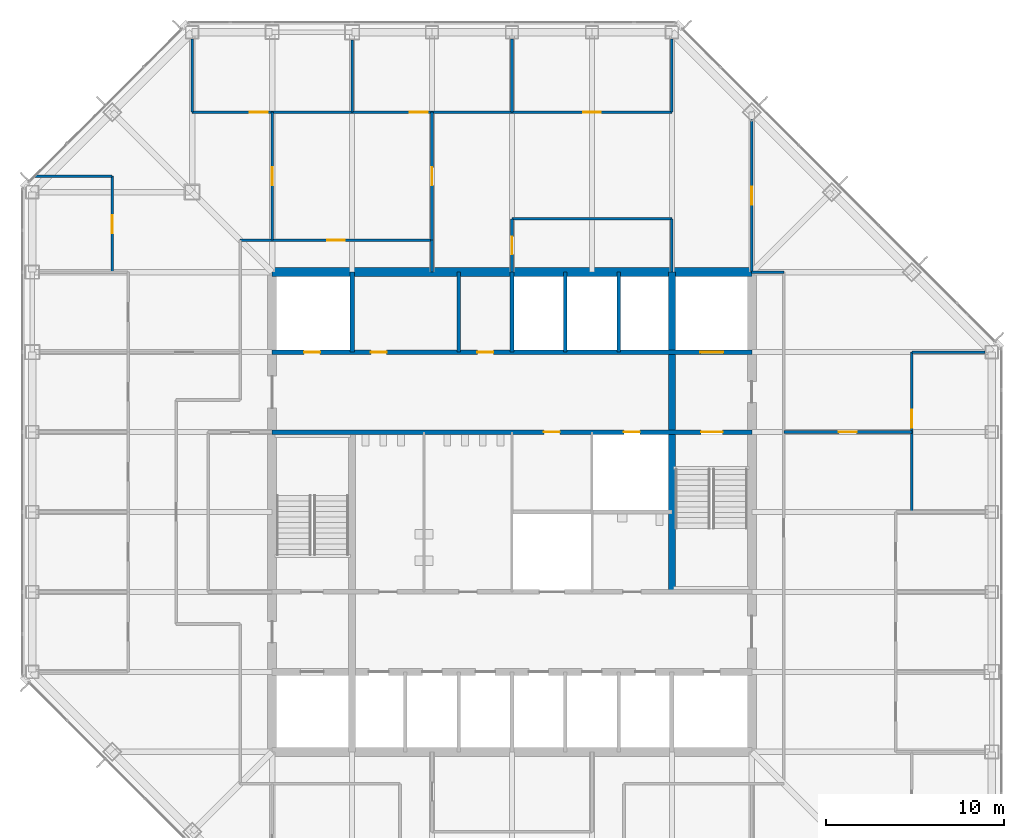
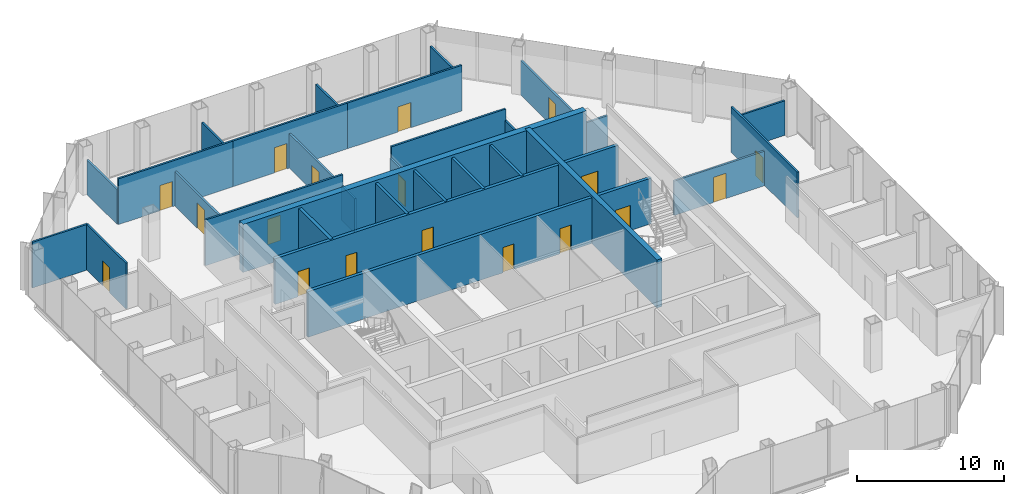
# One storey, part 10 of 13: 30 walls, 18 doors, 18 openings.
"""IFC4 building model written with IfcOpenShell, lengths in metres."""

from ifc_helpers import new_model, si_unit, direction, frame, frame_2d, origin, place, context, subcontext, project, spatial, rectangle, extrude, material, layer, layer_set, type_object, element, fill, save


model = new_model("IFC4")

# Units and contexts
model_context = context("Model", 3, precision=1e-05, world=origin(), true_north=direction((0.0, 1.0)))
body_context = subcontext(model_context, "Body", "Model", "MODEL_VIEW")
ifc_project = project(units=[si_unit("LENGTHUNIT", "METRE"), si_unit("AREAUNIT", "SQUARE_METRE"), si_unit("VOLUMEUNIT", "CUBIC_METRE"), si_unit("PLANEANGLEUNIT", "RADIAN"), si_unit("MASSUNIT", "GRAM", prefix="KILO")], contexts=[model_context])

# Site, building, storey
site_placement = place(None, origin())
site = spatial("IfcSite", under=ifc_project, at=site_placement, CompositionType="ELEMENT")
building_placement = place(site_placement, origin())
building = spatial("IfcBuilding", under=site, at=building_placement, Name="Corais Broadcast Tower", CompositionType="ELEMENT")
storey_placement = place(building_placement, frame((0.0, 0.0, 195.60009765625)))
storey = spatial("IfcBuildingStorey", under=building, at=storey_placement, Name="L45", CompositionType="ELEMENT", Elevation=195.60009765625)

# Wall
ifc_material_1 = material(Name="Concrete blockwork class A, grouted, two-hour", Category="masonry")
ifc_layer_1 = layer(ifc_material_1, 0.25)
ifc_layer_set_1 = layer_set([ifc_layer_1], Name="Concrete blockwork class A, grouted, two-hour")
wall_type_1 = type_object("IfcWallType", Name="Core lobby wall 250", PredefinedType="SOLIDWALL", material=ifc_layer_set_1)
wall_1_placement = place(storey_placement, frame((18.0, 36.0, 0.0), z_axis=(0.0, 0.0, 1.0), x_axis=(0.0, 1.0, 0.0)))
element("IfcWall", 1, at=wall_1_placement, inside=storey, type_object=wall_type_1, Name="CL2 core shaft wall X18B L45", PredefinedType="SOLIDWALL", context=body_context, shape_type="SweptSolid", body=[
    extrude(rectangle(XDim=4.5, YDim=0.25, at=frame_2d((2.25, 0.0))), origin(), (0.0, 0.0, 1.0), 3.7998046875),
])

# Wall, openings, doors
wall_2_placement = place(storey_placement, frame((13.5, 31.5, 0.0), z_axis=(0.0, 0.0, 1.0), x_axis=(1.0, 0.0, 0.0)))
wall_2 = element("IfcWall", 2, at=wall_2_placement, inside=storey, type_object=wall_type_1, Name="CL2 core lobby wall Y315 L45", PredefinedType="SOLIDWALL", context=body_context, shape_type="SweptSolid", body=[
    extrude(rectangle(XDim=27.0, YDim=0.25, at=frame_2d((13.5, 0.0))), origin(), (0.0, 0.0, 1.0), 3.7998046875),
])
opening_1_placement = place(wall_2_placement, frame((24.14990234375, 0.0, 0.0)))
opening_1 = element("IfcOpeningElement", 3, at=opening_1_placement, cuts=wall_2, Name="Opening FD1", PredefinedType="OPENING", context=body_context, shape_type="SweptSolid", body=[
    extrude(rectangle(XDim=1.199951171875, YDim=2.10009765625, at=frame_2d((0.60009765625, 1.050048828125))), frame((0.0, 0.135009765625, 0.0), z_axis=(0.0, -1.0, 0.0), x_axis=(1.0, 0.0, 0.0)), (0.0, 0.0, 1.0), 0.27001953125),
])
opening_2_placement = place(wall_2_placement, frame((15.300048828125, 0.0, 0.0)))
opening_2 = element("IfcOpeningElement", 4, at=opening_2_placement, cuts=wall_2, Name="Opening RD1", PredefinedType="OPENING", context=body_context, shape_type="SweptSolid", body=[
    extrude(rectangle(XDim=0.89990234375, YDim=2.10009765625, at=frame_2d((0.449951171875, 1.050048828125))), frame((0.0, 0.135009765625, 0.0), z_axis=(0.0, -1.0, 0.0), x_axis=(1.0, 0.0, 0.0)), (0.0, 0.0, 1.0), 0.27001953125),
])
opening_3_placement = place(wall_2_placement, frame((19.800048828125, 0.0, 0.0)))
opening_3 = element("IfcOpeningElement", 5, at=opening_3_placement, cuts=wall_2, Name="Opening RD1", PredefinedType="OPENING", context=body_context, shape_type="SweptSolid", body=[
    extrude(rectangle(XDim=0.89990234375, YDim=2.10009765625, at=frame_2d((0.449951171875, 1.050048828125))), frame((0.0, 0.135009765625, 0.0), z_axis=(0.0, -1.0, 0.0), x_axis=(1.0, 0.0, 0.0)), (0.0, 0.0, 1.0), 0.27001953125),
])
ifc_material_2 = material(Name="Steel fire door", Category="steel")
door_type_1 = type_object("IfcDoorType", Name="Fire door 1200x2100", OperationType="SINGLE_SWING_LEFT", PredefinedType="DOOR", material=ifc_material_2)
door_1_placement = place(opening_1_placement, origin())
door_1 = element("IfcDoor", 6, at=door_1_placement, inside=storey, type_object=door_type_1, Name="FD1 stair B door L45", OperationType="SINGLE_SWING_RIGHT", OverallHeight=2.10009765625, OverallWidth=1.199951171875, PredefinedType="DOOR", context=body_context, shape_type="SweptSolid", body=[
    extrude(rectangle(XDim=1.199951171875, YDim=2.10009765625, at=frame_2d((0.60009765625, 1.050048828125))), frame((0.0, 0.02490234375, 0.0), z_axis=(0.0, -1.0, 0.0), x_axis=(1.0, 0.0, 0.0)), (0.0, 0.0, 1.0), 0.050048828125),
])
fill(opening_1, door_1)
ifc_material_3 = material(Name="Steel fire door", Category="steel")
door_type_2 = type_object("IfcDoorType", Name="Riser door 900x2100", OperationType="SINGLE_SWING_LEFT", PredefinedType="DOOR", material=ifc_material_3)
door_2_placement = place(opening_2_placement, origin())
door_2 = element("IfcDoor", 7, at=door_2_placement, inside=storey, type_object=door_type_2, Name="RD1 cleaner's store door L45", OperationType="SINGLE_SWING_RIGHT", OverallHeight=2.10009765625, OverallWidth=0.89990234375, PredefinedType="DOOR", context=body_context, shape_type="SweptSolid", body=[
    extrude(rectangle(XDim=0.89990234375, YDim=2.10009765625, at=frame_2d((0.449951171875, 1.050048828125))), frame((0.0, 0.02490234375, 0.0), z_axis=(0.0, -1.0, 0.0), x_axis=(1.0, 0.0, 0.0)), (0.0, 0.0, 1.0), 0.050048828125),
])
fill(opening_2, door_2)
door_3_placement = place(opening_3_placement, origin())
door_3 = element("IfcDoor", 8, at=door_3_placement, inside=storey, type_object=door_type_2, Name="RD1 riser door L45", OperationType="SINGLE_SWING_RIGHT", OverallHeight=2.10009765625, OverallWidth=0.89990234375, PredefinedType="DOOR", context=body_context, shape_type="SweptSolid", body=[
    extrude(rectangle(XDim=0.89990234375, YDim=2.10009765625, at=frame_2d((0.449951171875, 1.050048828125))), frame((0.0, 0.02490234375, 0.0), z_axis=(0.0, -1.0, 0.0), x_axis=(1.0, 0.0, 0.0)), (0.0, 0.0, 1.0), 0.050048828125),
])
fill(opening_3, door_3)

# Walls
ifc_material_4 = material(Name="Concrete C50/60", Category="concrete")
ifc_layer_2 = layer(ifc_material_4, 0.39990234375)
ifc_layer_set_2 = layer_set([ifc_layer_2], Name="Concrete C50/60")
wall_type_2 = type_object("IfcWallType", Name="Core wall 400", PredefinedType="SHEAR", material=ifc_layer_set_2)
wall_3_placement = place(storey_placement, frame((36.0, 22.5, 0.0), z_axis=(0.0, 0.0, 1.0), x_axis=(0.0, 1.0, 0.0)))
element("IfcWall", 9, at=wall_3_placement, inside=storey, type_object=wall_type_2, Name="CR400 core wall X36B L45", PredefinedType="SHEAR", context=body_context, shape_type="SweptSolid", body=[
    extrude(rectangle(XDim=18.0, YDim=0.39990234375, at=frame_2d((9.0, 0.0))), origin(), (0.0, 0.0, 1.0), 4.0),
])
ifc_material_5 = material(Name="Concrete C50/60", Category="concrete")
ifc_layer_3 = layer(ifc_material_5, 0.5)
ifc_layer_set_3 = layer_set([ifc_layer_3], Name="Concrete C50/60")
wall_type_3 = type_object("IfcWallType", Name="Core wall 500", PredefinedType="SHEAR", material=ifc_layer_set_3)
wall_4_placement = place(storey_placement, frame((40.5, 40.5, 0.0), z_axis=(0.0, 0.0, 1.0), x_axis=(-1.0, 0.0, 0.0)))
element("IfcWall", 10, at=wall_4_placement, inside=storey, type_object=wall_type_3, Name="CR500 core wall N L45", PredefinedType="SHEAR", context=body_context, shape_type="SweptSolid", body=[
    extrude(rectangle(XDim=27.0, YDim=0.5, at=frame_2d((13.5, 0.0))), origin(), (0.0, 0.0, 1.0), 4.0),
])

# Wall, openings, doors
ifc_material_6 = material(Name="Concrete blockwork class A, grouted, four-hour", Category="masonry")
ifc_layer_4 = layer(ifc_material_6, 0.25)
ifc_layer_set_4 = layer_set([ifc_layer_4], Name="Concrete blockwork class A, grouted, four-hour")
wall_type_4 = type_object("IfcWallType", Name="Emergency lift shaft wall 250", PredefinedType="SOLIDWALL", material=ifc_layer_set_4)
wall_5_placement = place(storey_placement, frame((13.5, 36.0, 0.0), z_axis=(0.0, 0.0, 1.0), x_axis=(1.0, 0.0, 0.0)))
wall_5 = element("IfcWall", 11, at=wall_5_placement, inside=storey, type_object=wall_type_4, Name="LS2 core lobby wall Y36 L45", PredefinedType="SOLIDWALL", context=body_context, shape_type="SweptSolid", body=[
    extrude(rectangle(XDim=27.0, YDim=0.25, at=frame_2d((13.5, 0.0))), origin(), (0.0, 0.0, 1.0), 3.7998046875),
])
opening_4_placement = place(wall_5_placement, frame((1.800048828125, 0.0, 0.0)))
opening_4 = element("IfcOpeningElement", 12, at=opening_4_placement, cuts=wall_5, Name="Opening RD1", PredefinedType="OPENING", context=body_context, shape_type="SweptSolid", body=[
    extrude(rectangle(XDim=0.89990234375, YDim=2.10009765625, at=frame_2d((0.449951171875, 1.050048828125))), frame((0.0, 0.135009765625, 0.0), z_axis=(0.0, -1.0, 0.0), x_axis=(1.0, 0.0, 0.0)), (0.0, 0.0, 1.0), 0.27001953125),
])
opening_5_placement = place(wall_5_placement, frame((5.550048828125, 0.0, 0.0)))
opening_5 = element("IfcOpeningElement", 13, at=opening_5_placement, cuts=wall_5, Name="Opening RD1", PredefinedType="OPENING", context=body_context, shape_type="SweptSolid", body=[
    extrude(rectangle(XDim=0.89990234375, YDim=2.10009765625, at=frame_2d((0.449951171875, 1.050048828125))), frame((0.0, 0.135009765625, 0.0), z_axis=(0.0, -1.0, 0.0), x_axis=(1.0, 0.0, 0.0)), (0.0, 0.0, 1.0), 0.27001953125),
])
opening_6_placement = place(wall_5_placement, frame((11.550048828125, 0.0, 0.0)))
opening_6 = element("IfcOpeningElement", 14, at=opening_6_placement, cuts=wall_5, Name="Opening RD1", PredefinedType="OPENING", context=body_context, shape_type="SweptSolid", body=[
    extrude(rectangle(XDim=0.89990234375, YDim=2.10009765625, at=frame_2d((0.449951171875, 1.050048828125))), frame((0.0, 0.135009765625, 0.0), z_axis=(0.0, -1.0, 0.0), x_axis=(1.0, 0.0, 0.0)), (0.0, 0.0, 1.0), 0.27001953125),
])
opening_7_placement = place(wall_5_placement, frame((24.10009765625, 0.0, 0.0)))
opening_7 = element("IfcOpeningElement", 15, at=opening_7_placement, cuts=wall_5, Name="Opening LD2", PredefinedType="OPENING", context=body_context, shape_type="SweptSolid", body=[
    extrude(rectangle(XDim=1.300048828125, YDim=2.199951171875, at=frame_2d((0.64990234375, 1.10009765625))), frame((0.0, 0.135009765625, 0.0), z_axis=(0.0, -1.0, 0.0), x_axis=(1.0, 0.0, 0.0)), (0.0, 0.0, 1.0), 0.27001953125),
])
ifc_material_7 = material(Name="Stainless steel lift door", Category="steel")
door_type_3 = type_object("IfcDoorType", Name="Lift landing door 1300x2200", OperationType="SLIDING_TO_LEFT", PredefinedType="DOOR", material=ifc_material_7)
door_4_placement = place(opening_7_placement, origin())
door_4 = element("IfcDoor", 16, at=door_4_placement, inside=storey, type_object=door_type_3, Name="LD2 FL2 landing door L45", OperationType="SLIDING_TO_LEFT", OverallHeight=2.199951171875, OverallWidth=1.300048828125, PredefinedType="DOOR", context=body_context, shape_type="SweptSolid", body=[
    extrude(rectangle(XDim=1.300048828125, YDim=2.199951171875, at=frame_2d((0.64990234375, 1.10009765625))), frame((0.0, 0.02490234375, 0.0), z_axis=(0.0, -1.0, 0.0), x_axis=(1.0, 0.0, 0.0)), (0.0, 0.0, 1.0), 0.050048828125),
])
fill(opening_7, door_4)
door_5_placement = place(opening_4_placement, origin())
door_5 = element("IfcDoor", 17, at=door_5_placement, inside=storey, type_object=door_type_2, Name="RD1 riser door L45", OperationType="SINGLE_SWING_LEFT", OverallHeight=2.10009765625, OverallWidth=0.89990234375, PredefinedType="DOOR", context=body_context, shape_type="SweptSolid", body=[
    extrude(rectangle(XDim=0.89990234375, YDim=2.10009765625, at=frame_2d((0.449951171875, 1.050048828125))), frame((0.0, 0.02490234375, 0.0), z_axis=(0.0, -1.0, 0.0), x_axis=(1.0, 0.0, 0.0)), (0.0, 0.0, 1.0), 0.050048828125),
])
fill(opening_4, door_5)
door_6_placement = place(opening_5_placement, origin())
door_6 = element("IfcDoor", 18, at=door_6_placement, inside=storey, type_object=door_type_2, Name="RD1 media store door L45", OperationType="SINGLE_SWING_LEFT", OverallHeight=2.10009765625, OverallWidth=0.89990234375, PredefinedType="DOOR", context=body_context, shape_type="SweptSolid", body=[
    extrude(rectangle(XDim=0.89990234375, YDim=2.10009765625, at=frame_2d((0.449951171875, 1.050048828125))), frame((0.0, 0.02490234375, 0.0), z_axis=(0.0, -1.0, 0.0), x_axis=(1.0, 0.0, 0.0)), (0.0, 0.0, 1.0), 0.050048828125),
])
fill(opening_5, door_6)
door_7_placement = place(opening_6_placement, origin())
door_7 = element("IfcDoor", 19, at=door_7_placement, inside=storey, type_object=door_type_2, Name="RD1 tea point door L45", OperationType="SINGLE_SWING_LEFT", OverallHeight=2.10009765625, OverallWidth=0.89990234375, PredefinedType="DOOR", context=body_context, shape_type="SweptSolid", body=[
    extrude(rectangle(XDim=0.89990234375, YDim=2.10009765625, at=frame_2d((0.449951171875, 1.050048828125))), frame((0.0, 0.02490234375, 0.0), z_axis=(0.0, -1.0, 0.0), x_axis=(1.0, 0.0, 0.0)), (0.0, 0.0, 1.0), 0.050048828125),
])
fill(opening_6, door_7)

# Wall, opening, door
ifc_material_8 = material(Name="Gypsum board on steel studs", Category="steel")
ifc_layer_5 = layer(ifc_material_8, 0.14990234375)
ifc_layer_set_5 = layer_set([ifc_layer_5], Name="Gypsum board on steel studs")
wall_type_5 = type_object("IfcWallType", Name="Partition 150", PredefinedType="PARTITIONING", material=ifc_layer_set_5)
wall_6_placement = place(storey_placement, frame((22.5, 42.300048828125, 0.0), z_axis=(0.0, 0.0, 1.0), x_axis=(-1.0, 0.0, 0.0)))
wall_6 = element("IfcWall", 20, at=wall_6_placement, inside=storey, type_object=wall_type_5, Name="IW3 corridor wall L45", PredefinedType="PARTITIONING", context=body_context, shape_type="SweptSolid", body=[
    extrude(rectangle(XDim=10.800048828125, YDim=0.14990234375, at=frame_2d((5.39990234375, 0.0))), origin(), (0.0, 0.0, 1.0), 3.7998046875),
])
opening_8_placement = place(wall_6_placement, frame((4.89990234375, 0.0, 0.0)))
opening_8 = element("IfcOpeningElement", 21, at=opening_8_placement, cuts=wall_6, Name="Opening D1", PredefinedType="OPENING", context=body_context, shape_type="SweptSolid", body=[
    extrude(rectangle(XDim=1.0, YDim=2.10009765625, at=frame_2d((0.5, 1.050048828125))), frame((0.0, 0.0849609375, 0.0), z_axis=(0.0, -1.0, 0.0), x_axis=(1.0, 0.0, 0.0)), (0.0, 0.0, 1.0), 0.169921875),
])
ifc_material_9 = material(Name="Timber door", Category="wood")
door_type_4 = type_object("IfcDoorType", Name="Single door 1000x2100", OperationType="SINGLE_SWING_LEFT", PredefinedType="DOOR", material=ifc_material_9)
door_8_placement = place(opening_8_placement, origin())
door_8 = element("IfcDoor", 22, at=door_8_placement, inside=storey, type_object=door_type_4, Name="D1 workplace door L45", OperationType="SINGLE_SWING_LEFT", OverallHeight=2.10009765625, OverallWidth=1.0, PredefinedType="DOOR", context=body_context, shape_type="SweptSolid", body=[
    extrude(rectangle(XDim=1.0, YDim=2.10009765625, at=frame_2d((0.5, 1.050048828125))), frame((0.0, 0.02490234375, 0.0), z_axis=(0.0, -1.0, 0.0), x_axis=(1.0, 0.0, 0.0)), (0.0, 0.0, 1.0), 0.050048828125),
])
fill(opening_8, door_8)

# Walls
wall_7_placement = place(storey_placement, frame((42.300048828125, 40.5, 0.0), z_axis=(0.0, 0.0, 1.0), x_axis=(-1.0, 0.0, 0.0)))
element("IfcWall", 23, at=wall_7_placement, inside=storey, type_object=wall_type_5, Name="IW3 corridor wall L45", PredefinedType="PARTITIONING", context=body_context, shape_type="SweptSolid", body=[
    extrude(rectangle(XDim=1.81005859375, YDim=0.14990234375, at=frame_2d((0.905029296875, 0.0))), origin(), (0.0, 0.0, 1.0), 2.867919921875),
])
wall_8_placement = place(storey_placement, frame((22.5, 40.5, 0.0), z_axis=(0.0, 0.0, 1.0), x_axis=(0.0, 1.0, 0.0)))
element("IfcWall", 24, at=wall_8_placement, inside=storey, type_object=wall_type_5, Name="IW3 corridor wall L45", PredefinedType="PARTITIONING", context=body_context, shape_type="SweptSolid", body=[
    extrude(rectangle(XDim=1.800048828125, YDim=0.14990234375, at=frame_2d((0.89990234375, 0.0))), origin(), (0.0, 0.0, 1.0), 2.85791015625),
])
wall_9_placement = place(storey_placement, frame((53.614990234375, 36.0, 0.0), z_axis=(0.0, 0.0, 1.0), x_axis=(-1.0, 0.0, 0.0)))
element("IfcWall", 25, at=wall_9_placement, inside=storey, type_object=wall_type_5, Name="IW3 partition L45", PredefinedType="PARTITIONING", context=body_context, shape_type="SweptSolid", body=[
    extrude(rectangle(XDim=4.114990234375, YDim=0.14990234375, at=frame_2d((2.0576171875, 0.0))), origin(), (0.0, 0.0, 1.0), 2.867919921875),
])

# Wall, opening, door
wall_10_placement = place(storey_placement, frame((49.5, 36.0, 0.0), z_axis=(0.0, 0.0, 1.0), x_axis=(0.0, -1.0, 0.0)))
wall_10 = element("IfcWall", 26, at=wall_10_placement, inside=storey, type_object=wall_type_5, Name="IW3 partition L45", PredefinedType="PARTITIONING", context=body_context, shape_type="SweptSolid", body=[
    extrude(rectangle(XDim=9.0, YDim=0.14990234375, at=frame_2d((4.5, 0.0))), origin(), (0.0, 0.0, 1.0), 3.7998046875),
])
opening_9_placement = place(wall_10_placement, frame((3.25, 0.0, 0.0)))
opening_9 = element("IfcOpeningElement", 27, at=opening_9_placement, cuts=wall_10, Name="Opening D1", PredefinedType="OPENING", context=body_context, shape_type="SweptSolid", body=[
    extrude(rectangle(XDim=1.0, YDim=2.10009765625, at=frame_2d((0.5, 1.050048828125))), frame((0.0, 0.0849609375, 0.0), z_axis=(0.0, -1.0, 0.0), x_axis=(1.0, 0.0, 0.0)), (0.0, 0.0, 1.0), 0.169921875),
])
door_9_placement = place(opening_9_placement, origin())
door_9 = element("IfcDoor", 28, at=door_9_placement, inside=storey, type_object=door_type_4, Name="D1 First aid room door", OperationType="SINGLE_SWING_LEFT", OverallHeight=2.10009765625, OverallWidth=1.0, PredefinedType="DOOR", context=body_context, shape_type="SweptSolid", body=[
    extrude(rectangle(XDim=1.0, YDim=2.10009765625, at=frame_2d((0.5, 1.050048828125))), frame((0.0, 0.02490234375, 0.0), z_axis=(0.0, -1.0, 0.0), x_axis=(1.0, 0.0, 0.0)), (0.0, 0.0, 1.0), 0.050048828125),
])
fill(opening_9, door_9)

# Walls
wall_11_placement = place(storey_placement, frame((36.0, 40.5, 0.0), z_axis=(0.0, 0.0, 1.0), x_axis=(0.0, 1.0, 0.0)))
element("IfcWall", 29, at=wall_11_placement, inside=storey, type_object=wall_type_5, Name="IW3 partition L45", PredefinedType="PARTITIONING", context=body_context, shape_type="SweptSolid", body=[
    extrude(rectangle(XDim=3.0, YDim=0.14990234375, at=frame_2d((1.5, 0.0))), origin(), (0.0, 0.0, 1.0), 2.867919921875),
])
wall_12_placement = place(storey_placement, frame((36.0, 43.5, 0.0), z_axis=(0.0, 0.0, 1.0), x_axis=(-1.0, 0.0, 0.0)))
element("IfcWall", 30, at=wall_12_placement, inside=storey, type_object=wall_type_5, Name="IW3 partition L45", PredefinedType="PARTITIONING", context=body_context, shape_type="SweptSolid", body=[
    extrude(rectangle(XDim=9.0, YDim=0.14990234375, at=frame_2d((4.5, 0.0))), origin(), (0.0, 0.0, 1.0), 3.7998046875),
])

# Wall, opening, door
wall_13_placement = place(storey_placement, frame((27.0, 43.5, 0.0), z_axis=(0.0, 0.0, 1.0), x_axis=(0.0, -1.0, 0.0)))
wall_13 = element("IfcWall", 31, at=wall_13_placement, inside=storey, type_object=wall_type_5, Name="IW3 partition L45", PredefinedType="PARTITIONING", context=body_context, shape_type="SweptSolid", body=[
    extrude(rectangle(XDim=3.0, YDim=0.14990234375, at=frame_2d((1.5, 0.0))), origin(), (0.0, 0.0, 1.0), 2.85791015625),
])
opening_10_placement = place(wall_13_placement, frame((1.0, 0.0, 0.0)))
opening_10 = element("IfcOpeningElement", 32, at=opening_10_placement, cuts=wall_13, Name="Opening D1", PredefinedType="OPENING", context=body_context, shape_type="SweptSolid", body=[
    extrude(rectangle(XDim=1.0, YDim=2.10009765625, at=frame_2d((0.5, 1.050048828125))), frame((0.0, 0.0849609375, 0.0), z_axis=(0.0, -1.0, 0.0), x_axis=(1.0, 0.0, 0.0)), (0.0, 0.0, 1.0), 0.169921875),
])
door_10_placement = place(opening_10_placement, origin())
door_10 = element("IfcDoor", 33, at=door_10_placement, inside=storey, type_object=door_type_4, Name="D1 Prayer and quiet room door", OperationType="SINGLE_SWING_LEFT", OverallHeight=2.10009765625, OverallWidth=1.0, PredefinedType="DOOR", context=body_context, shape_type="SweptSolid", body=[
    extrude(rectangle(XDim=1.0, YDim=2.10009765625, at=frame_2d((0.5, 1.050048828125))), frame((0.0, 0.02490234375, 0.0), z_axis=(0.0, -1.0, 0.0), x_axis=(1.0, 0.0, 0.0)), (0.0, 0.0, 1.0), 0.050048828125),
])
fill(opening_10, door_10)

wall_14_placement = place(storey_placement, frame((4.5, 40.5, 0.0), z_axis=(0.0, 0.0, 1.0), x_axis=(0.0, 1.0, 0.0)))
wall_14 = element("IfcWall", 34, at=wall_14_placement, inside=storey, type_object=wall_type_5, Name="IW3 partition L45", PredefinedType="PARTITIONING", context=body_context, shape_type="SweptSolid", body=[
    extrude(rectangle(XDim=5.39990234375, YDim=0.14990234375, at=frame_2d((2.699951171875, 0.0))), origin(), (0.0, 0.0, 1.0), 3.7998046875),
])
opening_11_placement = place(wall_14_placement, frame((2.199951171875, 0.0, 0.0)))
opening_11 = element("IfcOpeningElement", 35, at=opening_11_placement, cuts=wall_14, Name="Opening D1", PredefinedType="OPENING", context=body_context, shape_type="SweptSolid", body=[
    extrude(rectangle(XDim=1.0, YDim=2.10009765625, at=frame_2d((0.5, 1.050048828125))), frame((0.0, 0.0849609375, 0.0), z_axis=(0.0, -1.0, 0.0), x_axis=(1.0, 0.0, 0.0)), (0.0, 0.0, 1.0), 0.169921875),
])
door_11_placement = place(opening_11_placement, origin())
door_11 = element("IfcDoor", 36, at=door_11_placement, inside=storey, type_object=door_type_4, Name="D1 Treatment room door", OperationType="SINGLE_SWING_LEFT", OverallHeight=2.10009765625, OverallWidth=1.0, PredefinedType="DOOR", context=body_context, shape_type="SweptSolid", body=[
    extrude(rectangle(XDim=1.0, YDim=2.10009765625, at=frame_2d((0.5, 1.050048828125))), frame((0.0, 0.02490234375, 0.0), z_axis=(0.0, -1.0, 0.0), x_axis=(1.0, 0.0, 0.0)), (0.0, 0.0, 1.0), 0.050048828125),
])
fill(opening_11, door_11)

# Wall
wall_15_placement = place(storey_placement, frame((4.5, 45.89990234375, 0.0), z_axis=(0.0, 0.0, 1.0), x_axis=(-1.0, 0.0, 0.0)))
element("IfcWall", 37, at=wall_15_placement, inside=storey, type_object=wall_type_5, Name="IW3 partition L45", PredefinedType="PARTITIONING", context=body_context, shape_type="SweptSolid", body=[
    extrude(rectangle(XDim=4.33544921875, YDim=0.14990234375, at=frame_2d((2.167724609375, 0.0))), origin(), (0.0, 0.0, 1.0), 3.7998046875),
])

# Wall, opening, door
wall_16_placement = place(storey_placement, frame((9.0, 49.5, 0.0), z_axis=(0.0, 0.0, 1.0), x_axis=(1.0, 0.0, 0.0)))
wall_16 = element("IfcWall", 38, at=wall_16_placement, inside=storey, type_object=wall_type_5, Name="IW3 partition L45", PredefinedType="PARTITIONING", context=body_context, shape_type="SweptSolid", body=[
    extrude(rectangle(XDim=9.0, YDim=0.14990234375, at=frame_2d((4.5, 0.0))), origin(), (0.0, 0.0, 1.0), 3.7998046875),
])
opening_12_placement = place(wall_16_placement, frame((3.25, 0.0, 0.0)))
opening_12 = element("IfcOpeningElement", 39, at=opening_12_placement, cuts=wall_16, Name="Opening D1", PredefinedType="OPENING", context=body_context, shape_type="SweptSolid", body=[
    extrude(rectangle(XDim=1.0, YDim=2.10009765625, at=frame_2d((0.5, 1.050048828125))), frame((0.0, 0.0849609375, 0.0), z_axis=(0.0, -1.0, 0.0), x_axis=(1.0, 0.0, 0.0)), (0.0, 0.0, 1.0), 0.169921875),
])
door_12_placement = place(opening_12_placement, origin())
door_12 = element("IfcDoor", 40, at=door_12_placement, inside=storey, type_object=door_type_4, Name="D1 People services office door", OperationType="SINGLE_SWING_LEFT", OverallHeight=2.10009765625, OverallWidth=1.0, PredefinedType="DOOR", context=body_context, shape_type="SweptSolid", body=[
    extrude(rectangle(XDim=1.0, YDim=2.10009765625, at=frame_2d((0.5, 1.050048828125))), frame((0.0, 0.02490234375, 0.0), z_axis=(0.0, -1.0, 0.0), x_axis=(1.0, 0.0, 0.0)), (0.0, 0.0, 1.0), 0.050048828125),
])
fill(opening_12, door_12)

# Walls
wall_17_placement = place(storey_placement, frame((18.0, 49.5, 0.0), z_axis=(0.0, 0.0, 1.0), x_axis=(0.0, 1.0, 0.0)))
element("IfcWall", 41, at=wall_17_placement, inside=storey, type_object=wall_type_5, Name="IW3 partition L45", PredefinedType="PARTITIONING", context=body_context, shape_type="SweptSolid", body=[
    extrude(rectangle(XDim=4.06494140625, YDim=0.14990234375, at=frame_2d((2.032470703125, 0.0))), origin(), (0.0, 0.0, 1.0), 2.867919921875),
])
wall_18_placement = place(storey_placement, frame((9.0, 53.614990234375, 0.0), z_axis=(0.0, 0.0, 1.0), x_axis=(0.0, -1.0, 0.0)))
element("IfcWall", 42, at=wall_18_placement, inside=storey, type_object=wall_type_5, Name="IW3 partition L45", PredefinedType="PARTITIONING", context=body_context, shape_type="SweptSolid", body=[
    extrude(rectangle(XDim=4.114990234375, YDim=0.14990234375, at=frame_2d((2.0576171875, 0.0))), origin(), (0.0, 0.0, 1.0), 2.872802734375),
])

# Wall, opening, door
wall_19_placement = place(storey_placement, frame((18.0, 49.5, 0.0), z_axis=(0.0, 0.0, 1.0), x_axis=(1.0, 0.0, 0.0)))
wall_19 = element("IfcWall", 43, at=wall_19_placement, inside=storey, type_object=wall_type_5, Name="IW3 partition L45", PredefinedType="PARTITIONING", context=body_context, shape_type="SweptSolid", body=[
    extrude(rectangle(XDim=9.0, YDim=0.14990234375, at=frame_2d((4.5, 0.0))), origin(), (0.0, 0.0, 1.0), 3.7998046875),
])
opening_13_placement = place(wall_19_placement, frame((3.25, 0.0, 0.0)))
opening_13 = element("IfcOpeningElement", 44, at=opening_13_placement, cuts=wall_19, Name="Opening D1", PredefinedType="OPENING", context=body_context, shape_type="SweptSolid", body=[
    extrude(rectangle(XDim=1.0, YDim=2.10009765625, at=frame_2d((0.5, 1.050048828125))), frame((0.0, 0.0849609375, 0.0), z_axis=(0.0, -1.0, 0.0), x_axis=(1.0, 0.0, 0.0)), (0.0, 0.0, 1.0), 0.169921875),
])
door_13_placement = place(opening_13_placement, origin())
door_13 = element("IfcDoor", 45, at=door_13_placement, inside=storey, type_object=door_type_4, Name="D1 People services office door", OperationType="SINGLE_SWING_LEFT", OverallHeight=2.10009765625, OverallWidth=1.0, PredefinedType="DOOR", context=body_context, shape_type="SweptSolid", body=[
    extrude(rectangle(XDim=1.0, YDim=2.10009765625, at=frame_2d((0.5, 1.050048828125))), frame((0.0, 0.02490234375, 0.0), z_axis=(0.0, -1.0, 0.0), x_axis=(1.0, 0.0, 0.0)), (0.0, 0.0, 1.0), 0.050048828125),
])
fill(opening_13, door_13)

# Wall
wall_20_placement = place(storey_placement, frame((27.0, 49.5, 0.0), z_axis=(0.0, 0.0, 1.0), x_axis=(0.0, 1.0, 0.0)))
element("IfcWall", 46, at=wall_20_placement, inside=storey, type_object=wall_type_5, Name="IW3 partition L45", PredefinedType="PARTITIONING", context=body_context, shape_type="SweptSolid", body=[
    extrude(rectangle(XDim=4.114990234375, YDim=0.14990234375, at=frame_2d((2.0576171875, 0.0))), origin(), (0.0, 0.0, 1.0), 2.85791015625),
])

# Wall, opening, door
wall_21_placement = place(storey_placement, frame((27.0, 49.5, 0.0), z_axis=(0.0, 0.0, 1.0), x_axis=(1.0, 0.0, 0.0)))
wall_21 = element("IfcWall", 47, at=wall_21_placement, inside=storey, type_object=wall_type_5, Name="IW3 partition L45", PredefinedType="PARTITIONING", context=body_context, shape_type="SweptSolid", body=[
    extrude(rectangle(XDim=9.0, YDim=0.14990234375, at=frame_2d((4.5, 0.0))), origin(), (0.0, 0.0, 1.0), 3.7998046875),
])
opening_14_placement = place(wall_21_placement, frame((4.0, 0.0, 0.0)))
opening_14 = element("IfcOpeningElement", 48, at=opening_14_placement, cuts=wall_21, Name="Opening D1", PredefinedType="OPENING", context=body_context, shape_type="SweptSolid", body=[
    extrude(rectangle(XDim=1.0, YDim=2.10009765625, at=frame_2d((0.5, 1.050048828125))), frame((0.0, 0.0849609375, 0.0), z_axis=(0.0, -1.0, 0.0), x_axis=(1.0, 0.0, 0.0)), (0.0, 0.0, 1.0), 0.169921875),
])
door_14_placement = place(opening_14_placement, origin())
door_14 = element("IfcDoor", 49, at=door_14_placement, inside=storey, type_object=door_type_4, Name="D1 People services office door", OperationType="SINGLE_SWING_LEFT", OverallHeight=2.10009765625, OverallWidth=1.0, PredefinedType="DOOR", context=body_context, shape_type="SweptSolid", body=[
    extrude(rectangle(XDim=1.0, YDim=2.10009765625, at=frame_2d((0.5, 1.050048828125))), frame((0.0, 0.02490234375, 0.0), z_axis=(0.0, -1.0, 0.0), x_axis=(1.0, 0.0, 0.0)), (0.0, 0.0, 1.0), 0.050048828125),
])
fill(opening_14, door_14)

# Wall
wall_22_placement = place(storey_placement, frame((36.0, 49.5, 0.0), z_axis=(0.0, 0.0, 1.0), x_axis=(0.0, 1.0, 0.0)))
element("IfcWall", 50, at=wall_22_placement, inside=storey, type_object=wall_type_5, Name="IW3 partition L45", PredefinedType="PARTITIONING", context=body_context, shape_type="SweptSolid", body=[
    extrude(rectangle(XDim=4.114990234375, YDim=0.14990234375, at=frame_2d((2.0576171875, 0.0))), origin(), (0.0, 0.0, 1.0), 2.867919921875),
])

# Wall, opening, door
wall_23_placement = place(storey_placement, frame((22.5, 42.280029296875, 0.0), z_axis=(0.0, 0.0, 1.0), x_axis=(0.0, 1.0, 0.0)))
wall_23 = element("IfcWall", 51, at=wall_23_placement, inside=storey, type_object=wall_type_5, Name="IW3 partition L45", PredefinedType="PARTITIONING", context=body_context, shape_type="SweptSolid", body=[
    extrude(rectangle(XDim=7.219970703125, YDim=0.14990234375, at=frame_2d((3.60986328125, 0.0))), origin(), (0.0, 0.0, 1.0), 2.85791015625),
])
opening_15_placement = place(wall_23_placement, frame((3.110107421875, 0.0, 0.0)))
opening_15 = element("IfcOpeningElement", 52, at=opening_15_placement, cuts=wall_23, Name="Opening D1", PredefinedType="OPENING", context=body_context, shape_type="SweptSolid", body=[
    extrude(rectangle(XDim=1.0, YDim=2.10009765625, at=frame_2d((0.5, 1.050048828125))), frame((0.0, 0.0849609375, 0.0), z_axis=(0.0, -1.0, 0.0), x_axis=(1.0, 0.0, 0.0)), (0.0, 0.0, 1.0), 0.169921875),
])
door_15_placement = place(opening_15_placement, origin())
door_15 = element("IfcDoor", 53, at=door_15_placement, inside=storey, type_object=door_type_4, Name="D1 team room door L45", OperationType="SINGLE_SWING_LEFT", OverallHeight=2.10009765625, OverallWidth=1.0, PredefinedType="DOOR", context=body_context, shape_type="SweptSolid", body=[
    extrude(rectangle(XDim=1.0, YDim=2.10009765625, at=frame_2d((0.5, 1.050048828125))), frame((0.0, 0.02490234375, 0.0), z_axis=(0.0, -1.0, 0.0), x_axis=(1.0, 0.0, 0.0)), (0.0, 0.0, 1.0), 0.050048828125),
])
fill(opening_15, door_15)

wall_24_placement = place(storey_placement, frame((40.5, 49.10498046875, 0.0), z_axis=(0.0, 0.0, 1.0), x_axis=(0.0, -1.0, 0.0)))
wall_24 = element("IfcWall", 54, at=wall_24_placement, inside=storey, type_object=wall_type_5, Name="IW3 partition L45", PredefinedType="PARTITIONING", context=body_context, shape_type="SweptSolid", body=[
    extrude(rectangle(XDim=8.60498046875, YDim=0.14990234375, at=frame_2d((4.302490234375, 0.0))), origin(), (0.0, 0.0, 1.0), 2.867919921875),
])
opening_16_placement = place(wall_24_placement, frame((3.802490234375, 0.0, 0.0)))
opening_16 = element("IfcOpeningElement", 55, at=opening_16_placement, cuts=wall_24, Name="Opening D1", PredefinedType="OPENING", context=body_context, shape_type="SweptSolid", body=[
    extrude(rectangle(XDim=1.0, YDim=2.10009765625, at=frame_2d((0.5, 1.050048828125))), frame((0.0, 0.0849609375, 0.0), z_axis=(0.0, -1.0, 0.0), x_axis=(1.0, 0.0, 0.0)), (0.0, 0.0, 1.0), 0.169921875),
])
door_16_placement = place(opening_16_placement, origin())
door_16 = element("IfcDoor", 56, at=door_16_placement, inside=storey, type_object=door_type_4, Name="D1 team room door L45", OperationType="SINGLE_SWING_LEFT", OverallHeight=2.10009765625, OverallWidth=1.0, PredefinedType="DOOR", context=body_context, shape_type="SweptSolid", body=[
    extrude(rectangle(XDim=1.0, YDim=2.10009765625, at=frame_2d((0.5, 1.050048828125))), frame((0.0, 0.02490234375, 0.0), z_axis=(0.0, -1.0, 0.0), x_axis=(1.0, 0.0, 0.0)), (0.0, 0.0, 1.0), 0.050048828125),
])
fill(opening_16, door_16)

wall_25_placement = place(storey_placement, frame((42.300048828125, 31.5, 0.0), z_axis=(0.0, 0.0, 1.0), x_axis=(1.0, 0.0, 0.0)))
wall_25 = element("IfcWall", 57, at=wall_25_placement, inside=storey, type_object=wall_type_5, Name="IW3 partition L45", PredefinedType="PARTITIONING", context=body_context, shape_type="SweptSolid", body=[
    extrude(rectangle(XDim=7.199951171875, YDim=0.14990234375, at=frame_2d((3.60009765625, 0.0))), origin(), (0.0, 0.0, 1.0), 2.867919921875),
])
opening_17_placement = place(wall_25_placement, frame((3.10009765625, 0.0, 0.0)))
opening_17 = element("IfcOpeningElement", 58, at=opening_17_placement, cuts=wall_25, Name="Opening D1", PredefinedType="OPENING", context=body_context, shape_type="SweptSolid", body=[
    extrude(rectangle(XDim=1.0, YDim=2.10009765625, at=frame_2d((0.5, 1.050048828125))), frame((0.0, 0.0849609375, 0.0), z_axis=(0.0, -1.0, 0.0), x_axis=(1.0, 0.0, 0.0)), (0.0, 0.0, 1.0), 0.169921875),
])
door_17_placement = place(opening_17_placement, origin())
door_17 = element("IfcDoor", 59, at=door_17_placement, inside=storey, type_object=door_type_4, Name="D1 team room door L45", OperationType="SINGLE_SWING_LEFT", OverallHeight=2.10009765625, OverallWidth=1.0, PredefinedType="DOOR", context=body_context, shape_type="SweptSolid", body=[
    extrude(rectangle(XDim=1.0, YDim=2.10009765625, at=frame_2d((0.5, 1.050048828125))), frame((0.0, 0.02490234375, 0.0), z_axis=(0.0, -1.0, 0.0), x_axis=(1.0, 0.0, 0.0)), (0.0, 0.0, 1.0), 0.050048828125),
])
fill(opening_17, door_17)

wall_26_placement = place(storey_placement, frame((13.5, 42.300048828125, 0.0), z_axis=(0.0, 0.0, 1.0), x_axis=(0.0, 1.0, 0.0)))
wall_26 = element("IfcWall", 60, at=wall_26_placement, inside=storey, type_object=wall_type_5, Name="IW3 partition L45", PredefinedType="PARTITIONING", context=body_context, shape_type="SweptSolid", body=[
    extrude(rectangle(XDim=7.199951171875, YDim=0.14990234375, at=frame_2d((3.60009765625, 0.0))), origin(), (0.0, 0.0, 1.0), 2.867919921875),
])
opening_18_placement = place(wall_26_placement, frame((3.10009765625, 0.0, 0.0)))
opening_18 = element("IfcOpeningElement", 61, at=opening_18_placement, cuts=wall_26, Name="Opening D1", PredefinedType="OPENING", context=body_context, shape_type="SweptSolid", body=[
    extrude(rectangle(XDim=1.0, YDim=2.10009765625, at=frame_2d((0.5, 1.050048828125))), frame((0.0, 0.0849609375, 0.0), z_axis=(0.0, -1.0, 0.0), x_axis=(1.0, 0.0, 0.0)), (0.0, 0.0, 1.0), 0.169921875),
])
door_18_placement = place(opening_18_placement, origin())
door_18 = element("IfcDoor", 62, at=door_18_placement, inside=storey, type_object=door_type_4, Name="D1 team room door L45", OperationType="SINGLE_SWING_LEFT", OverallHeight=2.10009765625, OverallWidth=1.0, PredefinedType="DOOR", context=body_context, shape_type="SweptSolid", body=[
    extrude(rectangle(XDim=1.0, YDim=2.10009765625, at=frame_2d((0.5, 1.050048828125))), frame((0.0, 0.02490234375, 0.0), z_axis=(0.0, -1.0, 0.0), x_axis=(1.0, 0.0, 0.0)), (0.0, 0.0, 1.0), 0.050048828125),
])
fill(opening_18, door_18)

# Walls
ifc_material_10 = material(Name="Concrete blockwork class A, grouted, two-hour", Category="masonry")
ifc_layer_6 = layer(ifc_material_10, 0.199951171875)
ifc_layer_set_6 = layer_set([ifc_layer_6], Name="Concrete blockwork class A, grouted, two-hour")
wall_type_6 = type_object("IfcWallType", Name="Shaft wall 200", PredefinedType="PARTITIONING", material=ifc_layer_set_6)
for number, where, z_axis, x_axis, name in (
    (63, (24.0, 36.0, 0.0), (0.0, 0.0, 1.0), (0.0, 1.0, 0.0), "IW1 shaft wall L45"),
    (64, (27.0, 36.0, 0.0), (0.0, 0.0, 1.0), (0.0, 1.0, 0.0), "IW1 shaft wall L45"),
    (65, (30.0, 36.0, 0.0), (0.0, 0.0, 1.0), (0.0, 1.0, 0.0), "IW1 shaft wall L45"),
    (66, (33.0, 36.0, 0.0), (0.0, 0.0, 1.0), (0.0, 1.0, 0.0), "IW1 shaft wall L45"),
):
    element("IfcWall", number, at=place(storey_placement, frame(where, z_axis=z_axis, x_axis=x_axis)), inside=storey, type_object=wall_type_6, Name=name, PredefinedType="PARTITIONING", context=body_context, shape_type="SweptSolid", body=[
        extrude(rectangle(XDim=4.5, YDim=0.199951171875, at=frame_2d((2.25, 0.0))), origin(), (0.0, 0.0, 1.0), 3.7998046875),
    ])

save(model, "model.ifc")
